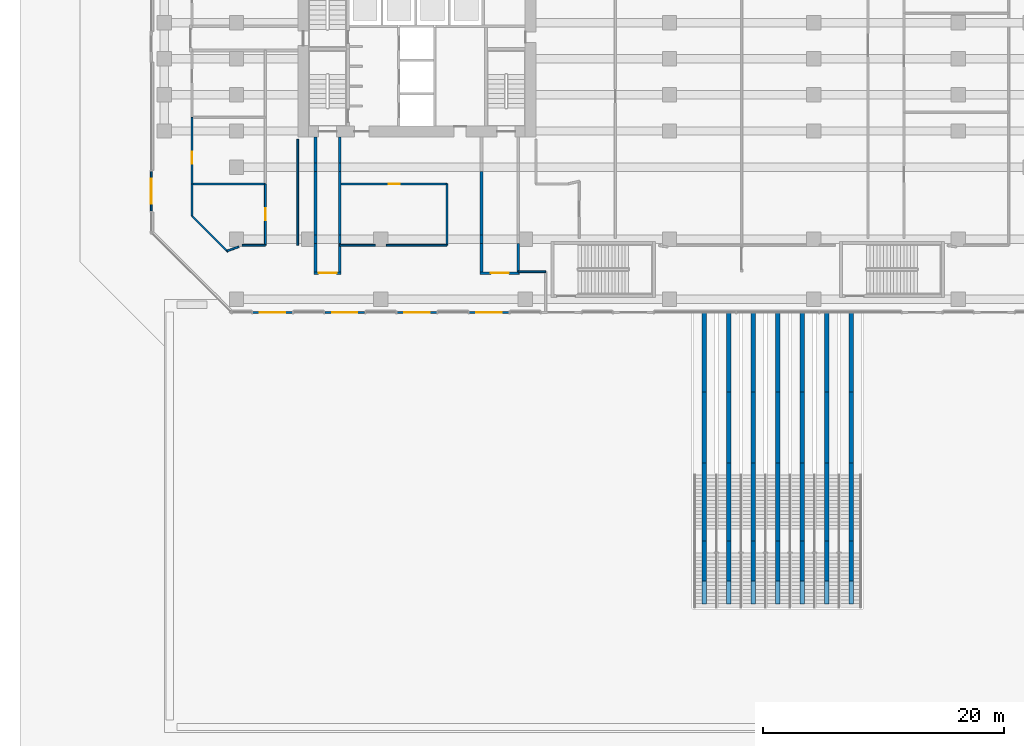
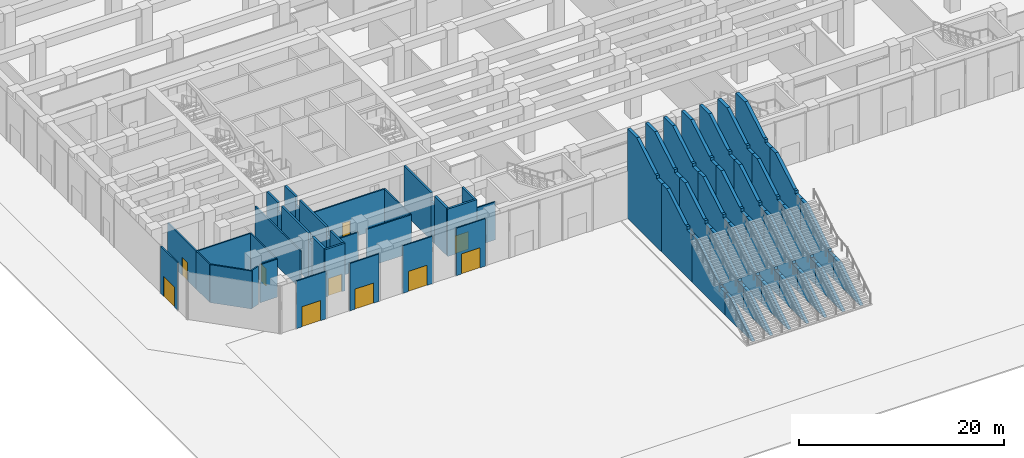
# One storey, part 16 of 32: 62 walls, 10 doors, 10 openings.
"""IFC4 building model written with IfcOpenShell, lengths in metres."""

import ifcopenshell
import ifcopenshell.guid

model = None  # the IFC model being written
_history = None  # IfcOwnerHistory: only IFC2X3 demands one
_inside = {}  # id of a spatial element -> (the spatial element, [elements in it])
_under = {}  # id of a project, library or spatial element -> (it, [spatial elements below it])
_declared = {}  # id of a project -> (the project, [libraries it declares])
_typed = {}  # id of a type object -> (the type object, [elements of that type])
_made_of = {}  # id of a material, layer set ... -> (it, [elements and type objects made of it])


def new_model(schema):
    """Start an empty IFC model of exactly this schema.

    Asked for "IFC4X3", IfcOpenShell would pick the latest addendum, in which some entities
    have other attributes; the version numbers below select the first issue.
    IFC2X3 requires an IfcOwnerHistory on every rooted entity: one is made here for all.
    """
    global model, _history
    if schema == "IFC4X3":
        model = ifcopenshell.file(schema_version=(4, 3, 0, 0))
    else:
        model = ifcopenshell.file(schema=schema)
    _inside.clear()
    _under.clear()
    _declared.clear()
    _typed.clear()
    _made_of.clear()
    _history = None
    if model.schema == "IFC2X3":
        org = make("IfcOrganization", Name="unknown")
        user = make(
            "IfcPersonAndOrganization",
            ThePerson=make("IfcPerson", FamilyName="unknown"),
            TheOrganization=org,
        )
        app = make(
            "IfcApplication",
            ApplicationDeveloper=org,
            Version="unknown",
            ApplicationFullName="unknown",
            ApplicationIdentifier="unknown",
        )
        _history = make(
            "IfcOwnerHistory",
            OwningUser=user,
            OwningApplication=app,
            ChangeAction="ADDED",
            CreationDate=0,
        )
    return model


def make(cls, **values):
    """One entity of the class cls with the attributes given. An attribute that is None is left unset."""
    return model.create_entity(
        cls, **{name: value for name, value in values.items() if value is not None}
    )


def rooted(cls, **values):
    """An entity with a GlobalId (a new one), such as an element, a storey or a relation."""
    return make(cls, GlobalId=ifcopenshell.guid.new(), OwnerHistory=_history, **values)


def si_unit(unit_type, name, prefix=None):
    """IfcSIUnit, for example si_unit("LENGTHUNIT", "METRE", prefix="MILLI")."""
    return make("IfcSIUnit", UnitType=unit_type, Prefix=prefix, Name=name)


def assignment(units):
    """IfcUnitAssignment: the units of a project."""
    return None if units is None else make("IfcUnitAssignment", Units=units)


def point(xyz):
    """IfcCartesianPoint."""
    return None if xyz is None else make("IfcCartesianPoint", Coordinates=xyz)


def direction(xyz):
    """IfcDirection."""
    return None if xyz is None else make("IfcDirection", DirectionRatios=xyz)


def frame(location, z_axis=None, x_axis=None):
    """IfcAxis2Placement3D, a coordinate frame: its origin and axes. An axis left out is left unset."""
    return make(
        "IfcAxis2Placement3D",
        Location=point(location),
        Axis=direction(z_axis),
        RefDirection=direction(x_axis),
    )


def frame_2d(location, x_axis=None):
    """IfcAxis2Placement2D, a coordinate frame in the plane: its origin and x axis."""
    return make(
        "IfcAxis2Placement2D", Location=point(location), RefDirection=direction(x_axis)
    )


def origin():
    """The frame at (0, 0, 0) with its axes left unset."""
    return frame((0.0, 0.0, 0.0))


def place(relative_to, where):
    """IfcLocalPlacement: puts the frame where relative to a parent placement (None: the world)."""
    return make(
        "IfcLocalPlacement", PlacementRelTo=relative_to, RelativePlacement=where
    )


def context(
    kind, dimensions, precision=None, world=None, true_north=None, identifier=None
):
    """IfcGeometricRepresentationContext, for example the 3D "Model" context."""
    return make(
        "IfcGeometricRepresentationContext",
        ContextIdentifier=identifier,
        ContextType=kind,
        CoordinateSpaceDimension=dimensions,
        Precision=precision,
        WorldCoordinateSystem=world,
        TrueNorth=true_north,
    )


def subcontext(parent, identifier, kind, view, scale=None):
    """IfcGeometricRepresentationSubContext, for example "Body" below "Model"."""
    return make(
        "IfcGeometricRepresentationSubContext",
        ContextIdentifier=identifier,
        ContextType=kind,
        ParentContext=parent,
        TargetScale=scale,
        TargetView=view,
    )


def project(units=None, contexts=None):
    """IfcProject with its units and contexts."""
    return rooted(
        "IfcProject",
        Name="project",
        RepresentationContexts=contexts,
        UnitsInContext=assignment(units),
    )


def spatial(cls, under=None, at=None, **own):
    """A site, building, storey or space (cls), placed at a placement, below another one or the project."""
    s = rooted(cls, ObjectPlacement=at, **own)
    if under is not None:
        _under.setdefault(under.id(), (under, []))[1].append(s)
    return s


def polyline(points):
    """IfcPolyline through the points."""
    return make("IfcPolyline", Points=[point(p) for p in points])


def profile(cls, at=None, kind="AREA", **sizes):
    """A parametric profile (cls). Its sizes go by their IFC names, for example OverallWidth=200.0."""
    return make(cls, ProfileType=kind, Position=at, **sizes)


def rectangle(**sizes):
    """IfcRectangleProfileDef."""
    return profile("IfcRectangleProfileDef", **sizes)


def outline(outer, holes=None, kind="AREA"):
    """IfcArbitraryClosedProfileDef: a profile drawn as a closed curve; with holes, ...WithVoids."""
    if holes is None:
        return make("IfcArbitraryClosedProfileDef", ProfileType=kind, OuterCurve=outer)
    return make(
        "IfcArbitraryProfileDefWithVoids",
        ProfileType=kind,
        OuterCurve=outer,
        InnerCurves=holes,
    )


def extrude(swept, where, along, depth):
    """IfcExtrudedAreaSolid: the profile swept, set in the frame where, extruded along a direction by depth."""
    return make(
        "IfcExtrudedAreaSolid",
        SweptArea=swept,
        Position=where,
        ExtrudedDirection=direction(along),
        Depth=depth,
    )


def shape(context_of_items, identifier, shape_type, items):
    """IfcShapeRepresentation: the items that make up one representation, for example the "Body"."""
    return make(
        "IfcShapeRepresentation",
        ContextOfItems=context_of_items,
        RepresentationIdentifier=identifier,
        RepresentationType=shape_type,
        Items=items,
    )


def material(Name=None, Category=None):
    """IfcMaterial."""
    return make("IfcMaterial", Name=Name, Category=Category)


def layer(
    of_material, thickness, ventilated=None, Name=None, Category=None, Priority=None
):
    """IfcMaterialLayer: one layer of a wall or slab, of a material (None: an air gap)."""
    return make(
        "IfcMaterialLayer",
        Material=of_material,
        LayerThickness=thickness,
        IsVentilated=ventilated,
        Name=Name,
        Category=Category,
        Priority=Priority,
    )


def layer_set(layers, Name=None):
    """IfcMaterialLayerSet."""
    return make("IfcMaterialLayerSet", MaterialLayers=layers, LayerSetName=Name)


def made_of(thing, what):
    """Note that an element or type object is made of a material, layer set ...; save() writes the relation."""
    if what is not None:
        _made_of.setdefault(what.id(), (what, []))[1].append(thing)
    return thing


def type_object(cls, material=None, **own):
    """A type object (cls), such as IfcWallType, which elements share."""
    return made_of(rooted(cls, **own), material)


def element(
    cls,
    number,
    at=None,
    inside=None,
    cuts=None,
    type_object=None,
    material=None,
    context=None,
    identifier="Body",
    shape_type=None,
    held_by="IfcProductDefinitionShape",
    body=None,
    shapes=None,
    **own,
):
    """One element of the class cls, such as IfcWall. Its Tag is "e" and its number.

    at: its placement. inside: the storey or other place that contains it. cuts: it is an
    opening in that element (IfcRelVoidsElement). A single representation is given by context,
    identifier, shape_type and body (its items); several are given by shapes. held_by: the class
    of the entity that holds the representations. save() writes the other relations.
    """
    e = rooted(cls, Tag="e%d" % number, ObjectPlacement=at, **own)
    if body is not None:
        shapes = [shape(context, identifier, shape_type, body)]
    if shapes is not None:
        e.Representation = make(held_by, Representations=shapes)
    if inside is not None:
        _inside.setdefault(inside.id(), (inside, []))[1].append(e)
    if cuts is not None:
        rooted(
            "IfcRelVoidsElement", RelatingBuildingElement=cuts, RelatedOpeningElement=e
        )
    if type_object is not None:
        _typed.setdefault(type_object.id(), (type_object, []))[1].append(e)
    return made_of(e, material)


def fill(opening, filler):
    """IfcRelFillsElement: the door or window that sits in an opening."""
    return rooted(
        "IfcRelFillsElement",
        RelatingOpeningElement=opening,
        RelatedBuildingElement=filler,
    )


def aggregate(whole, parts):
    """IfcRelAggregates: a whole, such as a stair, and the parts it consists of."""
    return rooted("IfcRelAggregates", RelatingObject=whole, RelatedObjects=parts)


def save(model, path):
    """Write the relations noted so far, then the file.

    IfcRelAggregates (storeys below a building ...), IfcRelContainedInSpatialStructure (elements
    in a storey), IfcRelDefinesByType, IfcRelAssociatesMaterial and IfcRelDeclares: one each for
    every whole, place, type object, material and project.
    """
    for whole, parts in _under.values():
        aggregate(whole, parts)
    for where, things in _inside.values():
        rooted(
            "IfcRelContainedInSpatialStructure",
            RelatedElements=things,
            RelatingStructure=where,
        )
    for kind, things in _typed.values():
        rooted("IfcRelDefinesByType", RelatedObjects=things, RelatingType=kind)
    for what, things in _made_of.values():
        rooted("IfcRelAssociatesMaterial", RelatedObjects=things, RelatingMaterial=what)
    for by, libraries in _declared.values():
        rooted("IfcRelDeclares", RelatingContext=by, RelatedDefinitions=libraries)
    model.write(path)


model = new_model("IFC4")

# Units and contexts
model_context = context("Model", 3, precision=1e-05, world=origin(), true_north=direction((0.0, 1.0)))
body_context = subcontext(model_context, "Body", "Model", "MODEL_VIEW")
ifc_project = project(units=[si_unit("LENGTHUNIT", "METRE"), si_unit("AREAUNIT", "SQUARE_METRE"), si_unit("VOLUMEUNIT", "CUBIC_METRE"), si_unit("PLANEANGLEUNIT", "RADIAN"), si_unit("MASSUNIT", "GRAM", prefix="KILO")], contexts=[model_context])

# Site, building, storey
site_placement = place(None, origin())
site = spatial("IfcSite", under=ifc_project, at=site_placement, CompositionType="ELEMENT")
building_placement = place(site_placement, origin())
building = spatial("IfcBuilding", under=site, at=building_placement, Name="Welwitschia Terrace Campus", CompositionType="ELEMENT")
storey_placement = place(building_placement, origin())
storey = spatial("IfcBuildingStorey", under=building, at=storey_placement, Name="L00", CompositionType="ELEMENT", Elevation=0.0)

# Wall, opening, door
ifc_material_1 = material(Name="Concrete C40/50", Category="concrete")
ifc_layer_1 = layer(ifc_material_1, 0.139892578125)
ifc_layer_set_1 = layer_set([ifc_layer_1], Name="Concrete C40/50")
wall_type_1 = type_object("IfcWallType", Name="Clad wall 140", PredefinedType="SOLIDWALL", material=ifc_layer_set_1)
wall_1_placement = place(storey_placement, frame((1.35009765625, -10.0849609375, 0.0), z_axis=(0.0, 0.0, 1.0), x_axis=(1.0, 0.0, 0.0)))
wall_1 = element("IfcWall", 1, at=wall_1_placement, inside=storey, type_object=wall_type_1, Name="Clad wall L00.entrance S1", PredefinedType="SOLIDWALL", context=body_context, shape_type="SweptSolid", body=[
    extrude(rectangle(XDim=3.2998046875, YDim=0.139892578125, at=frame_2d((1.64990234375, 0.0))), origin(), (0.0, 0.0, 1.0), 5.64990234375),
])
opening_1_placement = place(wall_1_placement, frame((0.60009765625, 0.0, 0.0)))
opening_1 = element("IfcOpeningElement", 2, at=opening_1_placement, cuts=wall_1, Name="Opening DE1", PredefinedType="OPENING", context=body_context, shape_type="SweptSolid", body=[
    extrude(rectangle(XDim=2.10009765625, YDim=2.39990234375, at=frame_2d((1.050048828125, 1.199951171875))), frame((0.0, 0.079833984375, 0.0), z_axis=(0.0, -1.0, 0.0), x_axis=(1.0, 0.0, 0.0)), (0.0, 0.0, 1.0), 0.159912109375),
])
ifc_material_2 = material(Name="Bronze anodised aluminium and glass", Category="aluminium")
door_type_1 = type_object("IfcDoorType", Name="Entrance door 2100x2400", OperationType="DOUBLE_DOOR_DOUBLE_SWING", PredefinedType="DOOR", material=ifc_material_2)
door_1_placement = place(opening_1_placement, origin())
door_1 = element("IfcDoor", 3, at=door_1_placement, inside=storey, type_object=door_type_1, Name="Entrance door S1", OperationType="DOUBLE_DOOR_DOUBLE_SWING", OverallHeight=2.39990234375, OverallWidth=2.10009765625, PredefinedType="DOOR", context=body_context, shape_type="SweptSolid", body=[
    extrude(rectangle(XDim=2.10009765625, YDim=2.39990234375, at=frame_2d((1.050048828125, 1.199951171875))), frame((0.0, 0.02490234375, 0.0), z_axis=(0.0, -1.0, 0.0), x_axis=(1.0, 0.0, 0.0)), (0.0, 0.0, 1.0), 0.050048828125),
])
fill(opening_1, door_1)

wall_2_placement = place(storey_placement, frame((7.35009765625, -10.0849609375, 0.0), z_axis=(0.0, 0.0, 1.0), x_axis=(1.0, 0.0, 0.0)))
wall_2 = element("IfcWall", 4, at=wall_2_placement, inside=storey, type_object=wall_type_1, Name="Clad wall L00.entrance S2", PredefinedType="SOLIDWALL", context=body_context, shape_type="SweptSolid", body=[
    extrude(rectangle(XDim=3.2998046875, YDim=0.139892578125, at=frame_2d((1.64990234375, 0.0))), origin(), (0.0, 0.0, 1.0), 5.64990234375),
])
opening_2_placement = place(wall_2_placement, frame((0.60009765625, 0.0, 0.0)))
opening_2 = element("IfcOpeningElement", 5, at=opening_2_placement, cuts=wall_2, Name="Opening DE1", PredefinedType="OPENING", context=body_context, shape_type="SweptSolid", body=[
    extrude(rectangle(XDim=2.10009765625, YDim=2.39990234375, at=frame_2d((1.050048828125, 1.199951171875))), frame((0.0, 0.079833984375, 0.0), z_axis=(0.0, -1.0, 0.0), x_axis=(1.0, 0.0, 0.0)), (0.0, 0.0, 1.0), 0.159912109375),
])
door_2_placement = place(opening_2_placement, origin())
door_2 = element("IfcDoor", 6, at=door_2_placement, inside=storey, type_object=door_type_1, Name="Entrance door S2", OperationType="DOUBLE_DOOR_DOUBLE_SWING", OverallHeight=2.39990234375, OverallWidth=2.10009765625, PredefinedType="DOOR", context=body_context, shape_type="SweptSolid", body=[
    extrude(rectangle(XDim=2.10009765625, YDim=2.39990234375, at=frame_2d((1.050048828125, 1.199951171875))), frame((0.0, 0.02490234375, 0.0), z_axis=(0.0, -1.0, 0.0), x_axis=(1.0, 0.0, 0.0)), (0.0, 0.0, 1.0), 0.050048828125),
])
fill(opening_2, door_2)

wall_3_placement = place(storey_placement, frame((13.35009765625, -10.0849609375, 0.0), z_axis=(0.0, 0.0, 1.0), x_axis=(1.0, 0.0, 0.0)))
wall_3 = element("IfcWall", 7, at=wall_3_placement, inside=storey, type_object=wall_type_1, Name="Clad wall L00.entrance S3", PredefinedType="SOLIDWALL", context=body_context, shape_type="SweptSolid", body=[
    extrude(rectangle(XDim=3.2998046875, YDim=0.139892578125, at=frame_2d((1.64990234375, 0.0))), origin(), (0.0, 0.0, 1.0), 5.64990234375),
])
opening_3_placement = place(wall_3_placement, frame((0.60009765625, 0.0, 0.0)))
opening_3 = element("IfcOpeningElement", 8, at=opening_3_placement, cuts=wall_3, Name="Opening DE1", PredefinedType="OPENING", context=body_context, shape_type="SweptSolid", body=[
    extrude(rectangle(XDim=2.10009765625, YDim=2.39990234375, at=frame_2d((1.050048828125, 1.199951171875))), frame((0.0, 0.079833984375, 0.0), z_axis=(0.0, -1.0, 0.0), x_axis=(1.0, 0.0, 0.0)), (0.0, 0.0, 1.0), 0.159912109375),
])
door_3_placement = place(opening_3_placement, origin())
door_3 = element("IfcDoor", 9, at=door_3_placement, inside=storey, type_object=door_type_1, Name="Entrance door S3", OperationType="DOUBLE_DOOR_DOUBLE_SWING", OverallHeight=2.39990234375, OverallWidth=2.10009765625, PredefinedType="DOOR", context=body_context, shape_type="SweptSolid", body=[
    extrude(rectangle(XDim=2.10009765625, YDim=2.39990234375, at=frame_2d((1.050048828125, 1.199951171875))), frame((0.0, 0.02490234375, 0.0), z_axis=(0.0, -1.0, 0.0), x_axis=(1.0, 0.0, 0.0)), (0.0, 0.0, 1.0), 0.050048828125),
])
fill(opening_3, door_3)

wall_4_placement = place(storey_placement, frame((19.35009765625, -10.0849609375, 0.0), z_axis=(0.0, 0.0, 1.0), x_axis=(1.0, 0.0, 0.0)))
wall_4 = element("IfcWall", 10, at=wall_4_placement, inside=storey, type_object=wall_type_1, Name="Clad wall L00.entrance S4", PredefinedType="SOLIDWALL", context=body_context, shape_type="SweptSolid", body=[
    extrude(rectangle(XDim=3.2998046875, YDim=0.139892578125, at=frame_2d((1.64990234375, 0.0))), origin(), (0.0, 0.0, 1.0), 5.64990234375),
])
opening_4_placement = place(wall_4_placement, frame((0.60009765625, 0.0, 0.0)))
opening_4 = element("IfcOpeningElement", 11, at=opening_4_placement, cuts=wall_4, Name="Opening DE1", PredefinedType="OPENING", context=body_context, shape_type="SweptSolid", body=[
    extrude(rectangle(XDim=2.10009765625, YDim=2.39990234375, at=frame_2d((1.050048828125, 1.199951171875))), frame((0.0, 0.079833984375, 0.0), z_axis=(0.0, -1.0, 0.0), x_axis=(1.0, 0.0, 0.0)), (0.0, 0.0, 1.0), 0.159912109375),
])
door_4_placement = place(opening_4_placement, origin())
door_4 = element("IfcDoor", 12, at=door_4_placement, inside=storey, type_object=door_type_1, Name="Entrance door S4", OperationType="DOUBLE_DOOR_DOUBLE_SWING", OverallHeight=2.39990234375, OverallWidth=2.10009765625, PredefinedType="DOOR", context=body_context, shape_type="SweptSolid", body=[
    extrude(rectangle(XDim=2.10009765625, YDim=2.39990234375, at=frame_2d((1.050048828125, 1.199951171875))), frame((0.0, 0.02490234375, 0.0), z_axis=(0.0, -1.0, 0.0), x_axis=(1.0, 0.0, 0.0)), (0.0, 0.0, 1.0), 0.050048828125),
])
fill(opening_4, door_4)

wall_5_placement = place(storey_placement, frame((-7.0849609375, 1.64990234375, 0.0), z_axis=(0.0, 0.0, 1.0), x_axis=(0.0, -1.0, 0.0)))
wall_5 = element("IfcWall", 13, at=wall_5_placement, inside=storey, type_object=wall_type_1, Name="Clad wall L00.entrance W10", PredefinedType="SOLIDWALL", context=body_context, shape_type="SweptSolid", body=[
    extrude(rectangle(XDim=3.2998046875, YDim=0.139892578125, at=frame_2d((1.64990234375, 0.0))), origin(), (0.0, 0.0, 1.0), 5.64990234375),
])
opening_5_placement = place(wall_5_placement, frame((0.60009765625, 0.0, 0.0)))
opening_5 = element("IfcOpeningElement", 14, at=opening_5_placement, cuts=wall_5, Name="Opening DE1", PredefinedType="OPENING", context=body_context, shape_type="SweptSolid", body=[
    extrude(rectangle(XDim=2.10009765625, YDim=2.39990234375, at=frame_2d((1.050048828125, 1.199951171875))), frame((0.0, 0.079833984375, 0.0), z_axis=(0.0, -1.0, 0.0), x_axis=(1.0, 0.0, 0.0)), (0.0, 0.0, 1.0), 0.159912109375),
])
door_5_placement = place(opening_5_placement, origin())
door_5 = element("IfcDoor", 15, at=door_5_placement, inside=storey, type_object=door_type_1, Name="Entrance door W10", OperationType="DOUBLE_DOOR_DOUBLE_SWING", OverallHeight=2.39990234375, OverallWidth=2.10009765625, PredefinedType="DOOR", context=body_context, shape_type="SweptSolid", body=[
    extrude(rectangle(XDim=2.10009765625, YDim=2.39990234375, at=frame_2d((1.050048828125, 1.199951171875))), frame((0.0, 0.02490234375, 0.0), z_axis=(0.0, -1.0, 0.0), x_axis=(1.0, 0.0, 0.0)), (0.0, 0.0, 1.0), 0.050048828125),
])
fill(opening_5, door_5)

# Walls
ifc_material_3 = material(Name="Concrete C32/40", Category="concrete")
ifc_layer_2 = layer(ifc_material_3, 0.22509765625)
ifc_layer_set_2 = layer_set([ifc_layer_2], Name="Concrete C32/40")
wall_type_2 = type_object("IfcWallType", Name="Core partition 225 Concrete C32/40", PredefinedType="PARTITIONING", material=ifc_layer_set_2)
wall_6_placement = place(storey_placement, frame((6.5625, -6.699951171875, 0.0), z_axis=(0.0, 0.0, 1.0), x_axis=(0.0, 1.0, 0.0)))
element("IfcWall", 16, at=wall_6_placement, inside=storey, type_object=wall_type_2, Name="Exit passage wall", PredefinedType="PARTITIONING", context=body_context, shape_type="SweptSolid", body=[
    extrude(rectangle(XDim=2.349853515625, YDim=0.22509765625, at=frame_2d((1.1748046875, 0.0))), origin(), (0.0, 0.0, 1.0), 5.64990234375),
])
wall_7_placement = place(storey_placement, frame((6.5625, -3.64990234375, 0.0), z_axis=(0.0, 0.0, 1.0), x_axis=(0.0, 1.0, 0.0)))
element("IfcWall", 17, at=wall_7_placement, inside=storey, type_object=wall_type_2, Name="Exit passage wall", PredefinedType="PARTITIONING", context=body_context, shape_type="SweptSolid", body=[
    extrude(rectangle(XDim=5.2998046875, YDim=0.22509765625, at=frame_2d((2.64990234375, 0.0))), origin(), (0.0, 0.0, 1.0), 5.64990234375),
])
wall_8_placement = place(storey_placement, frame((6.5625, 2.35009765625, 0.0), z_axis=(0.0, 0.0, 1.0), x_axis=(0.0, 1.0, 0.0)))
element("IfcWall", 18, at=wall_8_placement, inside=storey, type_object=wall_type_2, Name="Exit passage wall", PredefinedType="PARTITIONING", context=body_context, shape_type="SweptSolid", body=[
    extrude(rectangle(XDim=2.14990234375, YDim=0.22509765625, at=frame_2d((1.074951171875, 0.0))), origin(), (0.0, 0.0, 1.0), 5.64990234375),
])
wall_9_placement = place(storey_placement, frame((8.58740234375, -4.35009765625, 0.0), z_axis=(0.0, 0.0, 1.0), x_axis=(0.0, -1.0, 0.0)))
element("IfcWall", 19, at=wall_9_placement, inside=storey, type_object=wall_type_2, Name="Exit passage wall", PredefinedType="PARTITIONING", context=body_context, shape_type="SweptSolid", body=[
    extrude(rectangle(XDim=2.349853515625, YDim=0.22509765625, at=frame_2d((1.1748046875, 0.0))), origin(), (0.0, 0.0, 1.0), 5.64990234375),
])
wall_10_placement = place(storey_placement, frame((8.58740234375, 1.64990234375, 0.0), z_axis=(0.0, 0.0, 1.0), x_axis=(0.0, -1.0, 0.0)))
element("IfcWall", 20, at=wall_10_placement, inside=storey, type_object=wall_type_2, Name="Exit passage wall", PredefinedType="PARTITIONING", context=body_context, shape_type="SweptSolid", body=[
    extrude(rectangle(XDim=5.2998046875, YDim=0.22509765625, at=frame_2d((2.64990234375, 0.0))), origin(), (0.0, 0.0, 1.0), 5.64990234375),
])
wall_11_placement = place(storey_placement, frame((8.58740234375, 4.5, 0.0), z_axis=(0.0, 0.0, 1.0), x_axis=(0.0, -1.0, 0.0)))
element("IfcWall", 21, at=wall_11_placement, inside=storey, type_object=wall_type_2, Name="Exit passage wall", PredefinedType="PARTITIONING", context=body_context, shape_type="SweptSolid", body=[
    extrude(rectangle(XDim=2.14990234375, YDim=0.22509765625, at=frame_2d((1.074951171875, 0.0))), origin(), (0.0, 0.0, 1.0), 5.64990234375),
])

# Wall, opening, door
wall_12_placement = place(storey_placement, frame((8.699951171875, -6.8125, 0.0), z_axis=(0.0, 0.0, 1.0), x_axis=(-1.0, 0.0, 0.0)))
wall_12 = element("IfcWall", 22, at=wall_12_placement, inside=storey, type_object=wall_type_2, Name="Exit passage wall", PredefinedType="PARTITIONING", context=body_context, shape_type="SweptSolid", body=[
    extrude(rectangle(XDim=2.25, YDim=0.22509765625, at=frame_2d((1.125, 0.0))), origin(), (0.0, 0.0, 1.0), 5.64990234375),
])
opening_6_placement = place(wall_12_placement, frame((0.375, 0.0, 0.0)))
opening_6 = element("IfcOpeningElement", 23, at=opening_6_placement, cuts=wall_12, Name="Opening DS15", PredefinedType="OPENING", context=body_context, shape_type="SweptSolid", body=[
    extrude(rectangle(XDim=1.5, YDim=2.10009765625, at=frame_2d((0.75, 1.050048828125))), frame((0.0, 0.12255859375, 0.0), z_axis=(0.0, -1.0, 0.0), x_axis=(1.0, 0.0, 0.0)), (0.0, 0.0, 1.0), 0.2451171875),
])
ifc_material_4 = material(Name="Steel S275", Category="steel")
door_type_2 = type_object("IfcDoorType", Name="Core door DS15", OperationType="DOUBLE_DOOR_SINGLE_SWING", PredefinedType="DOOR", material=ifc_material_4)
door_6_placement = place(opening_6_placement, origin())
door_6 = element("IfcDoor", 24, at=door_6_placement, inside=storey, type_object=door_type_2, Name="Door S1 exit", OperationType="DOUBLE_DOOR_SINGLE_SWING", OverallHeight=2.10009765625, OverallWidth=1.5, PredefinedType="DOOR", context=body_context, shape_type="SweptSolid", body=[
    extrude(rectangle(XDim=1.5, YDim=2.10009765625, at=frame_2d((0.75, 1.050048828125))), frame((0.0, 0.02490234375, 0.0), z_axis=(0.0, -1.0, 0.0), x_axis=(1.0, 0.0, 0.0)), (0.0, 0.0, 1.0), 0.050048828125),
])
fill(opening_6, door_6)

# Walls
wall_13_placement = place(storey_placement, frame((20.362548828125, -6.699951171875, 0.0), z_axis=(0.0, 0.0, 1.0), x_axis=(0.0, 1.0, 0.0)))
element("IfcWall", 25, at=wall_13_placement, inside=storey, type_object=wall_type_2, Name="Exit passage wall", PredefinedType="PARTITIONING", context=body_context, shape_type="SweptSolid", body=[
    extrude(rectangle(XDim=2.349853515625, YDim=0.22509765625, at=frame_2d((1.1748046875, 0.0))), origin(), (0.0, 0.0, 1.0), 5.64990234375),
])
wall_14_placement = place(storey_placement, frame((20.362548828125, -3.64990234375, 0.0), z_axis=(0.0, 0.0, 1.0), x_axis=(0.0, 1.0, 0.0)))
element("IfcWall", 26, at=wall_14_placement, inside=storey, type_object=wall_type_2, Name="Exit passage wall", PredefinedType="PARTITIONING", context=body_context, shape_type="SweptSolid", body=[
    extrude(rectangle(XDim=5.2998046875, YDim=0.22509765625, at=frame_2d((2.64990234375, 0.0))), origin(), (0.0, 0.0, 1.0), 5.64990234375),
])
wall_15_placement = place(storey_placement, frame((23.4375, -4.35009765625, 0.0), z_axis=(0.0, 0.0, 1.0), x_axis=(0.0, -1.0, 0.0)))
element("IfcWall", 27, at=wall_15_placement, inside=storey, type_object=wall_type_2, Name="Exit passage wall", PredefinedType="PARTITIONING", context=body_context, shape_type="SweptSolid", body=[
    extrude(rectangle(XDim=2.349853515625, YDim=0.22509765625, at=frame_2d((1.1748046875, 0.0))), origin(), (0.0, 0.0, 1.0), 5.64990234375),
])

# Wall, opening, door
wall_16_placement = place(storey_placement, frame((23.550048828125, -6.8125, 0.0), z_axis=(0.0, 0.0, 1.0), x_axis=(-1.0, 0.0, 0.0)))
wall_16 = element("IfcWall", 28, at=wall_16_placement, inside=storey, type_object=wall_type_2, Name="Exit passage wall", PredefinedType="PARTITIONING", context=body_context, shape_type="SweptSolid", body=[
    extrude(rectangle(XDim=3.300048828125, YDim=0.22509765625, at=frame_2d((1.64990234375, 0.0))), origin(), (0.0, 0.0, 1.0), 5.64990234375),
])
opening_7_placement = place(wall_16_placement, frame((0.89990234375, 0.0, 0.0)))
opening_7 = element("IfcOpeningElement", 29, at=opening_7_placement, cuts=wall_16, Name="Opening DS15", PredefinedType="OPENING", context=body_context, shape_type="SweptSolid", body=[
    extrude(rectangle(XDim=1.5, YDim=2.10009765625, at=frame_2d((0.75, 1.050048828125))), frame((0.0, 0.12255859375, 0.0), z_axis=(0.0, -1.0, 0.0), x_axis=(1.0, 0.0, 0.0)), (0.0, 0.0, 1.0), 0.2451171875),
])
door_7_placement = place(opening_7_placement, origin())
door_7 = element("IfcDoor", 30, at=door_7_placement, inside=storey, type_object=door_type_2, Name="Door S2 exit", OperationType="DOUBLE_DOOR_SINGLE_SWING", OverallHeight=2.10009765625, OverallWidth=1.5, PredefinedType="DOOR", context=body_context, shape_type="SweptSolid", body=[
    extrude(rectangle(XDim=1.5, YDim=2.10009765625, at=frame_2d((0.75, 1.050048828125))), frame((0.0, 0.02490234375, 0.0), z_axis=(0.0, -1.0, 0.0), x_axis=(1.0, 0.0, 0.0)), (0.0, 0.0, 1.0), 0.050048828125),
])
fill(opening_7, door_7)

# Walls
ifc_material_5 = material(Name="Concrete C32/40", Category="concrete")
ifc_layer_3 = layer(ifc_material_5, 0.22509765625)
ifc_layer_set_3 = layer_set([ifc_layer_3], Name="Concrete C32/40")
wall_type_3 = type_object("IfcWallType", Name="Core partition 225 under beam Concrete C32/40", PredefinedType="PARTITIONING", material=ifc_layer_set_3)
for number, where, z_axis, x_axis, name in (
    (31, (6.5625, -4.35009765625, 0.0), (0.0, 0.0, 1.0), (0.0, 1.0, 0.0), "Exit passage wall"),
    (32, (6.5625, 1.64990234375, 0.0), (0.0, 0.0, 1.0), (0.0, 1.0, 0.0), "Exit passage wall"),
    (33, (8.58740234375, -3.64990234375, 0.0), (0.0, 0.0, 1.0), (0.0, -1.0, 0.0), "Exit passage wall"),
    (34, (8.58740234375, 2.35009765625, 0.0), (0.0, 0.0, 1.0), (0.0, -1.0, 0.0), "Exit passage wall"),
    (35, (20.362548828125, -4.35009765625, 0.0), (0.0, 0.0, 1.0), (0.0, 1.0, 0.0), "Exit passage wall"),
):
    element("IfcWall", number, at=place(storey_placement, frame(where, z_axis=z_axis, x_axis=x_axis)), inside=storey, type_object=wall_type_3, Name=name, PredefinedType="PARTITIONING", context=body_context, shape_type="SweptSolid", body=[
        extrude(rectangle(XDim=0.7001953125, YDim=0.22509765625, at=frame_2d((0.35009765625, 0.0))), origin(), (0.0, 0.0, 1.0), 4.64990234375),
    ])
ifc_material_6 = material(Name="Gypsum board on steel studs", Category="steel")
ifc_layer_4 = layer(ifc_material_6, 0.14990234375)
ifc_layer_set_4 = layer_set([ifc_layer_4], Name="Gypsum board on steel studs")
wall_type_4 = type_object("IfcWallType", Name="Corridor partition 150 EI 30", PredefinedType="PARTITIONING", material=ifc_layer_set_4)
wall_17_placement = place(storey_placement, frame((-3.699951171875, -2.050048828125, 0.0), z_axis=(0.0, 0.0, 1.0), x_axis=(0.0, 1.0, 0.0)))
element("IfcWall", 36, at=wall_17_placement, inside=storey, type_object=wall_type_4, Name="Partition", PredefinedType="PARTITIONING", context=body_context, shape_type="SweptSolid", body=[
    extrude(rectangle(XDim=2.64013671875, YDim=0.14990234375, at=frame_2d((1.320068359375, 0.0))), origin(), (0.0, 0.0, 1.0), 4.530029296875),
])
wall_18_placement = place(storey_placement, frame((-3.699951171875, -2.050048828125, 0.0), z_axis=(0.0, 0.0, 1.0), x_axis=(0.707106781187, -0.707106781187, 0.0)))
element("IfcWall", 37, at=wall_18_placement, inside=storey, type_object=wall_type_4, Name="Partition", PredefinedType="PARTITIONING", context=body_context, shape_type="SweptSolid", body=[
    extrude(rectangle(XDim=4.249267578125, YDim=0.14990234375, at=frame_2d((2.12451171875, 0.0))), origin(), (0.0, 0.0, 1.0), 4.530029296875),
])
wall_19_placement = place(storey_placement, frame((-3.699951171875, 0.590087890625, 0.0), z_axis=(0.0, 0.0, 1.0), x_axis=(1.0, 0.0, 0.0)))
element("IfcWall", 38, at=wall_19_placement, inside=storey, type_object=wall_type_4, Name="Partition", PredefinedType="PARTITIONING", context=body_context, shape_type="SweptSolid", body=[
    extrude(rectangle(XDim=6.099853515625, YDim=0.14990234375, at=frame_2d((3.0498046875, 0.0))), origin(), (0.0, 0.0, 1.0), 4.530029296875),
])

# Wall, opening, door
wall_20_placement = place(storey_placement, frame((-3.699951171875, 6.139892578125, 0.0), z_axis=(0.0, 0.0, 1.0), x_axis=(0.0, -1.0, 0.0)))
wall_20 = element("IfcWall", 39, at=wall_20_placement, inside=storey, type_object=wall_type_4, Name="Partition", PredefinedType="PARTITIONING", context=body_context, shape_type="SweptSolid", body=[
    extrude(rectangle(XDim=5.5498046875, YDim=0.14990234375, at=frame_2d((2.77490234375, 0.0))), origin(), (0.0, 0.0, 1.0), 4.530029296875),
])
opening_8_placement = place(wall_20_placement, frame((2.85009765625, 0.0, 0.0)))
opening_8 = element("IfcOpeningElement", 40, at=opening_8_placement, cuts=wall_20, Name="Opening DI10", PredefinedType="OPENING", context=body_context, shape_type="SweptSolid", body=[
    extrude(rectangle(XDim=1.0, YDim=2.10009765625, at=frame_2d((0.5, 1.050048828125))), frame((0.0, 0.0849609375, 0.0), z_axis=(0.0, -1.0, 0.0), x_axis=(1.0, 0.0, 0.0)), (0.0, 0.0, 1.0), 0.169921875),
])
ifc_material_7 = material(Name="Timber veneered door", Category="wood")
door_type_3 = type_object("IfcDoorType", Name="Interior door DI10", OperationType="NOTDEFINED", PredefinedType="DOOR", material=ifc_material_7)
door_8_placement = place(opening_8_placement, origin())
door_8 = element("IfcDoor", 41, at=door_8_placement, inside=storey, type_object=door_type_3, Name="Door L00 016", OperationType="SINGLE_SWING_LEFT", OverallHeight=2.10009765625, OverallWidth=1.0, PredefinedType="DOOR", context=body_context, shape_type="SweptSolid", body=[
    extrude(rectangle(XDim=1.0, YDim=2.10009765625, at=frame_2d((0.5, 1.050048828125))), frame((0.0, 0.02490234375, 0.0), z_axis=(0.0, -1.0, 0.0), x_axis=(1.0, 0.0, 0.0)), (0.0, 0.0, 1.0), 0.050048828125),
])
fill(opening_8, door_8)

# Walls
wall_21_placement = place(storey_placement, frame((-0.780029296875, -4.969970703125, 0.0), z_axis=(0.0, 0.0, 1.0), x_axis=(0.940681994894, 0.339289528991, 0.0)))
element("IfcWall", 42, at=wall_21_placement, inside=storey, type_object=wall_type_4, Name="Partition", PredefinedType="PARTITIONING", context=body_context, shape_type="SweptSolid", body=[
    extrude(rectangle(XDim=1.03125, YDim=0.14990234375, at=frame_2d((0.515625, 0.0))), origin(), (0.0, 0.0, 1.0), 4.530029296875),
])
wall_22_placement = place(storey_placement, frame((0.4599609375, -4.5, 0.0), z_axis=(0.0, 0.0, 1.0), x_axis=(1.0, 0.0, 0.0)))
element("IfcWall", 43, at=wall_22_placement, inside=storey, type_object=wall_type_4, Name="Partition", PredefinedType="PARTITIONING", context=body_context, shape_type="SweptSolid", body=[
    extrude(rectangle(XDim=1.93994140625, YDim=0.14990234375, at=frame_2d((0.969970703125, 0.0))), origin(), (0.0, 0.0, 1.0), 4.530029296875),
])

# Wall, opening, door
wall_23_placement = place(storey_placement, frame((2.39990234375, -4.5, 0.0), z_axis=(0.0, 0.0, 1.0), x_axis=(0.0, 1.0, 0.0)))
wall_23 = element("IfcWall", 44, at=wall_23_placement, inside=storey, type_object=wall_type_4, Name="Partition", PredefinedType="PARTITIONING", context=body_context, shape_type="SweptSolid", body=[
    extrude(rectangle(XDim=5.090087890625, YDim=0.14990234375, at=frame_2d((2.544921875, 0.0))), origin(), (0.0, 0.0, 1.0), 4.530029296875),
])
opening_9_placement = place(wall_23_placement, frame((2.090087890625, 0.0, 0.0)))
opening_9 = element("IfcOpeningElement", 45, at=opening_9_placement, cuts=wall_23, Name="Opening DI10", PredefinedType="OPENING", context=body_context, shape_type="SweptSolid", body=[
    extrude(rectangle(XDim=1.0, YDim=2.10009765625, at=frame_2d((0.5, 1.050048828125))), frame((0.0, 0.0849609375, 0.0), z_axis=(0.0, -1.0, 0.0), x_axis=(1.0, 0.0, 0.0)), (0.0, 0.0, 1.0), 0.169921875),
])
door_9_placement = place(opening_9_placement, origin())
door_9 = element("IfcDoor", 46, at=door_9_placement, inside=storey, type_object=door_type_3, Name="Door L00 020", OperationType="SINGLE_SWING_LEFT", OverallHeight=2.10009765625, OverallWidth=1.0, PredefinedType="DOOR", context=body_context, shape_type="SweptSolid", body=[
    extrude(rectangle(XDim=1.0, YDim=2.10009765625, at=frame_2d((0.5, 1.050048828125))), frame((0.0, 0.02490234375, 0.0), z_axis=(0.0, -1.0, 0.0), x_axis=(1.0, 0.0, 0.0)), (0.0, 0.0, 1.0), 0.050048828125),
])
fill(opening_9, door_9)

# Walls
wall_24_placement = place(storey_placement, frame((5.10009765625, -4.5, 0.0), z_axis=(0.0, 0.0, 1.0), x_axis=(0.0, 1.0, 0.0)))
element("IfcWall", 47, at=wall_24_placement, inside=storey, type_object=wall_type_4, Name="Partition", PredefinedType="PARTITIONING", context=body_context, shape_type="SweptSolid", body=[
    extrude(rectangle(XDim=8.81005859375, YDim=0.14990234375, at=frame_2d((4.405029296875, 0.0))), origin(), (0.0, 0.0, 1.0), 4.530029296875),
])
wall_25_placement = place(storey_placement, frame((8.570068359375, -4.5, 0.0), z_axis=(0.0, 0.0, 1.0), x_axis=(1.0, 0.0, 0.0)))
element("IfcWall", 48, at=wall_25_placement, inside=storey, type_object=wall_type_4, Name="Partition", PredefinedType="PARTITIONING", context=body_context, shape_type="SweptSolid", body=[
    extrude(rectangle(XDim=2.969970703125, YDim=0.14990234375, at=frame_2d((1.48486328125, 0.0))), origin(), (0.0, 0.0, 1.0), 4.530029296875),
])
wall_26_placement = place(storey_placement, frame((12.4599609375, -4.5, 0.0), z_axis=(0.0, 0.0, 1.0), x_axis=(1.0, 0.0, 0.0)))
element("IfcWall", 49, at=wall_26_placement, inside=storey, type_object=wall_type_4, Name="Partition", PredefinedType="PARTITIONING", context=body_context, shape_type="SweptSolid", body=[
    extrude(rectangle(XDim=5.0400390625, YDim=0.14990234375, at=frame_2d((2.52001953125, 0.0))), origin(), (0.0, 0.0, 1.0), 4.530029296875),
])
wall_27_placement = place(storey_placement, frame((17.5, -4.5, 0.0), z_axis=(0.0, 0.0, 1.0), x_axis=(0.0, 1.0, 0.0)))
element("IfcWall", 50, at=wall_27_placement, inside=storey, type_object=wall_type_4, Name="Partition", PredefinedType="PARTITIONING", context=body_context, shape_type="SweptSolid", body=[
    extrude(rectangle(XDim=5.10009765625, YDim=0.14990234375, at=frame_2d((2.550048828125, 0.0))), origin(), (0.0, 0.0, 1.0), 4.530029296875),
])

# Wall, opening, door
wall_28_placement = place(storey_placement, frame((17.5, 0.60009765625, 0.0), z_axis=(0.0, 0.0, 1.0), x_axis=(-1.0, 0.0, 0.0)))
wall_28 = element("IfcWall", 51, at=wall_28_placement, inside=storey, type_object=wall_type_4, Name="Partition", PredefinedType="PARTITIONING", context=body_context, shape_type="SweptSolid", body=[
    extrude(rectangle(XDim=8.929931640625, YDim=0.14990234375, at=frame_2d((4.46484375, 0.0))), origin(), (0.0, 0.0, 1.0), 4.530029296875),
])
opening_10_placement = place(wall_28_placement, frame((3.929931640625, 0.0, 0.0)))
opening_10 = element("IfcOpeningElement", 52, at=opening_10_placement, cuts=wall_28, Name="Opening DI09", PredefinedType="OPENING", context=body_context, shape_type="SweptSolid", body=[
    extrude(rectangle(XDim=0.89990234375, YDim=2.10009765625, at=frame_2d((0.449951171875, 1.050048828125))), frame((0.0, 0.0849609375, 0.0), z_axis=(0.0, -1.0, 0.0), x_axis=(1.0, 0.0, 0.0)), (0.0, 0.0, 1.0), 0.169921875),
])
ifc_material_8 = material(Name="Timber veneered door", Category="wood")
door_type_4 = type_object("IfcDoorType", Name="Interior door DI09", OperationType="NOTDEFINED", PredefinedType="DOOR", material=ifc_material_8)
door_10_placement = place(opening_10_placement, origin())
door_10 = element("IfcDoor", 53, at=door_10_placement, inside=storey, type_object=door_type_4, Name="Door L00 023", OperationType="SINGLE_SWING_RIGHT", OverallHeight=2.10009765625, OverallWidth=0.89990234375, PredefinedType="DOOR", context=body_context, shape_type="SweptSolid", body=[
    extrude(rectangle(XDim=0.89990234375, YDim=2.10009765625, at=frame_2d((0.449951171875, 1.050048828125))), frame((0.0, 0.02490234375, 0.0), z_axis=(0.0, -1.0, 0.0), x_axis=(1.0, 0.0, 0.0)), (0.0, 0.0, 1.0), 0.050048828125),
])
fill(opening_10, door_10)

# Walls
wall_29_placement = place(storey_placement, frame((23.429931640625, -6.699951171875, 0.0), z_axis=(0.0, 0.0, 1.0), x_axis=(1.0, 0.0, 0.0)))
element("IfcWall", 54, at=wall_29_placement, inside=storey, type_object=wall_type_4, Name="Partition", PredefinedType="PARTITIONING", context=body_context, shape_type="SweptSolid", body=[
    extrude(rectangle(XDim=2.27001953125, YDim=0.14990234375, at=frame_2d((1.135009765625, 0.0))), origin(), (0.0, 0.0, 1.0), 4.530029296875),
])
ifc_material_9 = material(Name="Concrete C40/50", Category="concrete")
ifc_layer_5 = layer(ifc_material_9, 0.35009765625)
ifc_layer_set_5 = layer_set([ifc_layer_5], Name="Concrete C40/50")
wall_type_5 = type_object("IfcWallType", Name="Stair cheek wall 350 x 10647", PredefinedType="SOLIDWALL", material=ifc_layer_set_5)
for number, where, z_axis, x_axis, name in (
    (55, (38.892822265625, -16.699951171875, 0.0), (0.0, 0.0, 1.0), (0.0, 1.0, 0.0), "Stair support wall"),
    (56, (40.9287109375, -16.699951171875, 0.0), (0.0, 0.0, 1.0), (0.0, 1.0, 0.0), "Stair support wall"),
    (57, (42.96435546875, -16.699951171875, 0.0), (0.0, 0.0, 1.0), (0.0, 1.0, 0.0), "Stair support wall"),
    (58, (45.0, -16.699951171875, 0.0), (0.0, 0.0, 1.0), (0.0, 1.0, 0.0), "Stair support wall"),
    (59, (47.03564453125, -16.699951171875, 0.0), (0.0, 0.0, 1.0), (0.0, 1.0, 0.0), "Stair support wall"),
    (60, (49.0712890625, -16.699951171875, 0.0), (0.0, 0.0, 1.0), (0.0, 1.0, 0.0), "Stair support wall"),
    (61, (51.107177734375, -16.699951171875, 0.0), (0.0, 0.0, 1.0), (0.0, 1.0, 0.0), "Stair support wall"),
):
    element("IfcWall", number, at=place(storey_placement, frame(where, z_axis=z_axis, x_axis=x_axis)), inside=storey, type_object=wall_type_5, Name=name, PredefinedType="SOLIDWALL", context=body_context, shape_type="SweptSolid", body=[
        extrude(outline(polyline([(0.0, 0.0), (6.699951171875, 0.0), (6.699951171875, 10.64697265625), (4.89990234375, 10.64697265625), (1.293212890625, 8.5), (1.0, 8.5), (1.0, 8.14697265625), (0.0, 8.14697265625), (0.0, 0.0)])), frame((0.0, 0.175048828125, 0.0), z_axis=(0.0, -1.0, 0.0), x_axis=(1.0, 0.0, 0.0)), (0.0, 0.0, 1.0), 0.35009765625),
    ])
ifc_material_10 = material(Name="Concrete C40/50", Category="concrete")
ifc_layer_6 = layer(ifc_material_10, 0.35009765625)
ifc_layer_set_6 = layer_set([ifc_layer_6], Name="Concrete C40/50")
wall_type_6 = type_object("IfcWallType", Name="Stair cheek wall 350 x 2636", PredefinedType="SOLIDWALL", material=ifc_layer_set_6)
for number, where, z_axis, x_axis, name in (
    (62, (38.892822265625, -34.60009765625, 0.0), (0.0, 0.0, 1.0), (0.0, 1.0, 0.0), "Stair support wall"),
    (63, (40.9287109375, -34.60009765625, 0.0), (0.0, 0.0, 1.0), (0.0, 1.0, 0.0), "Stair support wall"),
    (64, (42.96435546875, -34.60009765625, 0.0), (0.0, 0.0, 1.0), (0.0, 1.0, 0.0), "Stair support wall"),
    (65, (45.0, -34.60009765625, 0.0), (0.0, 0.0, 1.0), (0.0, 1.0, 0.0), "Stair support wall"),
    (66, (47.03564453125, -34.60009765625, 0.0), (0.0, 0.0, 1.0), (0.0, 1.0, 0.0), "Stair support wall"),
    (67, (49.0712890625, -34.60009765625, 0.0), (0.0, 0.0, 1.0), (0.0, 1.0, 0.0), "Stair support wall"),
    (68, (51.107177734375, -34.60009765625, 0.0), (0.0, 0.0, 1.0), (0.0, 1.0, 0.0), "Stair support wall"),
):
    element("IfcWall", number, at=place(storey_placement, frame(where, z_axis=z_axis, x_axis=x_axis)), inside=storey, type_object=wall_type_6, Name=name, PredefinedType="SOLIDWALL", context=body_context, shape_type="SweptSolid", body=[
        extrude(outline(polyline([(0.0, 0.0), (5.5, 0.0), (5.5, 2.635498046875), (4.5, 2.635498046875), (0.282958984375, 0.0), (0.0, 0.0), (0.0, 0.0)])), frame((0.0, 0.175048828125, 0.0), z_axis=(0.0, -1.0, 0.0), x_axis=(1.0, 0.0, 0.0)), (0.0, 0.0, 1.0), 0.35009765625),
    ])
ifc_material_11 = material(Name="Concrete C40/50", Category="concrete")
ifc_layer_7 = layer(ifc_material_11, 0.35009765625)
ifc_layer_set_7 = layer_set([ifc_layer_7], Name="Concrete C40/50")
wall_type_7 = type_object("IfcWallType", Name="Stair cheek wall 350 x 5636", PredefinedType="SOLIDWALL", material=ifc_layer_set_7)
for number, where, z_axis, x_axis, name in (
    (69, (38.892822265625, -29.10009765625, 0.0), (0.0, 0.0, 1.0), (0.0, 1.0, 0.0), "Stair support wall"),
    (70, (40.9287109375, -29.10009765625, 0.0), (0.0, 0.0, 1.0), (0.0, 1.0, 0.0), "Stair support wall"),
    (71, (42.96435546875, -29.10009765625, 0.0), (0.0, 0.0, 1.0), (0.0, 1.0, 0.0), "Stair support wall"),
    (72, (45.0, -29.10009765625, 0.0), (0.0, 0.0, 1.0), (0.0, 1.0, 0.0), "Stair support wall"),
    (73, (47.03564453125, -29.10009765625, 0.0), (0.0, 0.0, 1.0), (0.0, 1.0, 0.0), "Stair support wall"),
    (74, (49.0712890625, -29.10009765625, 0.0), (0.0, 0.0, 1.0), (0.0, 1.0, 0.0), "Stair support wall"),
    (75, (51.107177734375, -29.10009765625, 0.0), (0.0, 0.0, 1.0), (0.0, 1.0, 0.0), "Stair support wall"),
):
    element("IfcWall", number, at=place(storey_placement, frame(where, z_axis=z_axis, x_axis=x_axis)), inside=storey, type_object=wall_type_7, Name=name, PredefinedType="SOLIDWALL", context=body_context, shape_type="SweptSolid", body=[
        extrude(outline(polyline([(0.0, 0.0), (6.5, 0.0), (6.5, 5.635498046875), (5.5, 5.635498046875), (1.282958984375, 3.0), (1.0, 3.0), (1.0, 2.635498046875), (0.0, 2.635498046875), (0.0, 0.0)])), frame((0.0, 0.175048828125, 0.0), z_axis=(0.0, -1.0, 0.0), x_axis=(1.0, 0.0, 0.0)), (0.0, 0.0, 1.0), 0.35009765625),
    ])
ifc_material_12 = material(Name="Concrete C40/50", Category="concrete")
ifc_layer_8 = layer(ifc_material_12, 0.35009765625)
ifc_layer_set_8 = layer_set([ifc_layer_8], Name="Concrete C40/50")
wall_type_8 = type_object("IfcWallType", Name="Stair cheek wall 350 x 8147", PredefinedType="SOLIDWALL", material=ifc_layer_set_8)
for number, where, z_axis, x_axis, name in (
    (76, (38.892822265625, -22.60009765625, 0.0), (0.0, 0.0, 1.0), (0.0, 1.0, 0.0), "Stair support wall"),
    (77, (40.9287109375, -22.60009765625, 0.0), (0.0, 0.0, 1.0), (0.0, 1.0, 0.0), "Stair support wall"),
    (78, (42.96435546875, -22.60009765625, 0.0), (0.0, 0.0, 1.0), (0.0, 1.0, 0.0), "Stair support wall"),
    (79, (45.0, -22.60009765625, 0.0), (0.0, 0.0, 1.0), (0.0, 1.0, 0.0), "Stair support wall"),
    (80, (47.03564453125, -22.60009765625, 0.0), (0.0, 0.0, 1.0), (0.0, 1.0, 0.0), "Stair support wall"),
    (81, (49.0712890625, -22.60009765625, 0.0), (0.0, 0.0, 1.0), (0.0, 1.0, 0.0), "Stair support wall"),
    (82, (51.107177734375, -22.60009765625, 0.0), (0.0, 0.0, 1.0), (0.0, 1.0, 0.0), "Stair support wall"),
):
    element("IfcWall", number, at=place(storey_placement, frame(where, z_axis=z_axis, x_axis=x_axis)), inside=storey, type_object=wall_type_8, Name=name, PredefinedType="SOLIDWALL", context=body_context, shape_type="SweptSolid", body=[
        extrude(outline(polyline([(0.0, 0.0), (5.900146484375, 0.0), (5.89990234375, 8.14697265625), (4.89990234375, 8.14697265625), (1.293212890625, 6.0), (1.0, 6.0), (1.0, 5.635498046875), (0.0, 5.635498046875), (0.0, 0.0)])), frame((0.0, 0.175048828125, 0.0), z_axis=(0.0, -1.0, 0.0), x_axis=(1.0, 0.0, 0.0)), (0.0, 0.0, 1.0), 0.35009765625),
    ])

save(model, "model.ifc")
